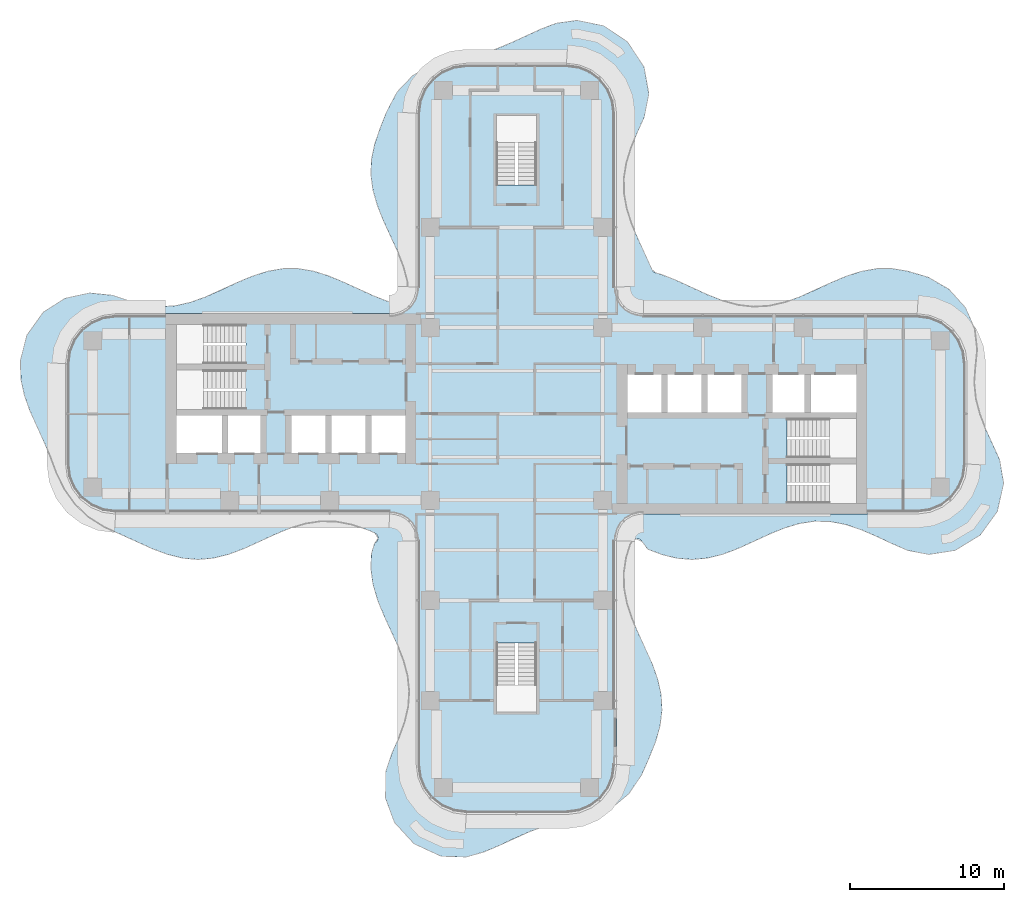
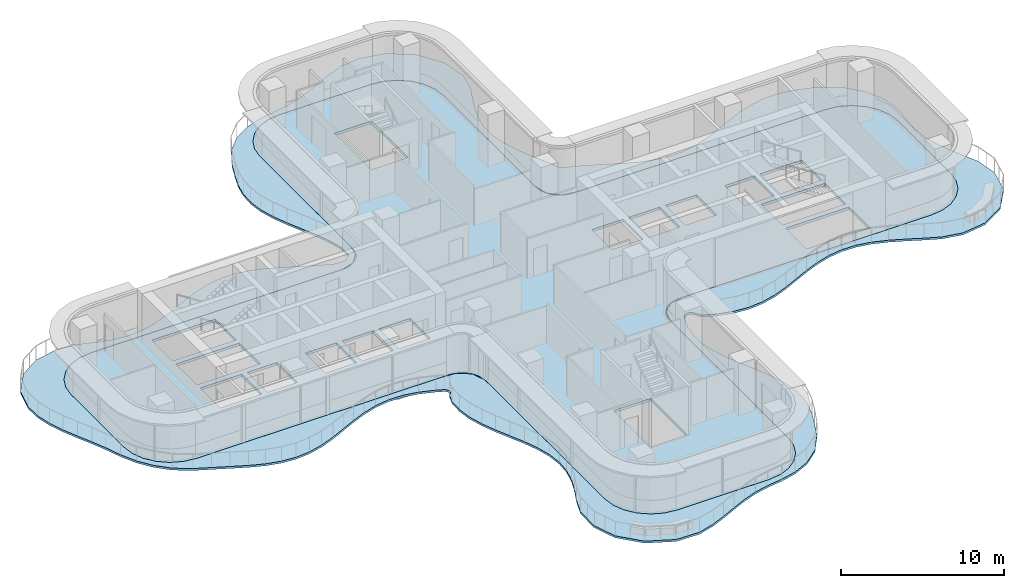
# One storey, part 11 of 19: 2 slabs.
"""IFC4 building model written with IfcOpenShell, lengths in metres."""

from ifc_helpers import new_model, si_unit, direction, frame, origin, place, context, subcontext, project, spatial, polyline, outline, extrude, material, layer, layer_set, type_object, element, save


model = new_model("IFC4")

# Units and contexts
model_context = context("Model", 3, precision=1e-05, world=origin(), true_north=direction((0.0, 1.0)))
body_context = subcontext(model_context, "Body", "Model", "MODEL_VIEW")
ifc_project = project(units=[si_unit("LENGTHUNIT", "METRE"), si_unit("AREAUNIT", "SQUARE_METRE"), si_unit("VOLUMEUNIT", "CUBIC_METRE"), si_unit("PLANEANGLEUNIT", "RADIAN"), si_unit("MASSUNIT", "GRAM", prefix="KILO")], contexts=[model_context])

# Site, building, storey
site_placement = place(None, origin())
site = spatial("IfcSite", under=ifc_project, at=site_placement, CompositionType="ELEMENT")
building_placement = place(site_placement, origin())
building = spatial("IfcBuilding", under=site, at=building_placement, Name="Trellis Farm Tower", CompositionType="ELEMENT")
storey_placement = place(building_placement, frame((0.0, 0.0, 197.10009765625)))
storey = spatial("IfcBuildingStorey", under=building, at=storey_placement, Name="L43", CompositionType="ELEMENT", Elevation=197.10009765625)

# Slabs
ifc_material = material(Name="Concrete C40/50", Category="concrete")
ifc_layer_1 = layer(ifc_material, 0.14990234375)
ifc_layer_set_1 = layer_set([ifc_layer_1], Name="Balcony slab 150")
slab_type_1 = type_object("IfcSlabType", Name="Balcony slab 150", PredefinedType="FLOOR", material=ifc_layer_set_1)
slab_1_placement = place(storey_placement, frame((0.0, 0.0, -0.150146484375)))
element("IfcSlab", 1, at=slab_1_placement, inside=storey, type_object=slab_type_1, Name="Balcony slab", PredefinedType="FLOOR", context=body_context, shape_type="SweptSolid", body=[
    extrude(outline(polyline([(-27.820556640625, -6.649169921875), (-28.645751953125, -5.8466796875), (-28.663330078125, -5.826171875), (-29.312744140625, -4.91259765625), (-29.3251953125, -4.891845703125), (-29.8388671875, -3.845703125), (-29.844970703125, -3.831787109375), (-30.249267578125, -2.745361328125), (-30.25048828125, -2.741943359375), (-30.671142578125, -1.76123046875), (-30.672119140625, -1.759033203125), (-31.13818359375, -0.76171875), (-31.1396484375, -0.758544921875), (-31.57421875, 0.22705078125), (-31.578369140625, 0.237548828125), (-31.92431640625, 1.21533203125), (-31.929443359375, 1.23388671875), (-32.144287109375, 2.233642578125), (-32.147705078125, 2.260498046875), (-32.183837890625, 3.41015625), (-32.179443359375, 3.451171875), (-31.782958984375, 5.04248046875), (-31.773681640625, 5.069091796875), (-31.75830078125, 5.102294921875), (-31.744384765625, 5.126708984375), (-30.708740234375, 6.578369140625), (-30.689697265625, 6.600341796875), (-30.662109375, 6.626220703125), (-30.638916015625, 6.64404296875), (-29.304443359375, 7.48388671875), (-29.281494140625, 7.49560546875), (-29.250732421875, 7.50830078125), (-29.225341796875, 7.51611328125), (-27.722412109375, 7.839111328125), (-27.676513671875, 7.841796875), (-26.240478515625, 7.70166015625), (-26.2080078125, 7.694580078125), (-25.125, 7.335205078125), (-25.120849609375, 7.333984375), (-24.11474609375, 7.064208984375), (-24.103515625, 7.06201171875), (-23.114990234375, 6.95458984375), (-23.10205078125, 6.954345703125), (-22.12060546875, 7.01806640625), (-22.108642578125, 7.019775390625), (-21.129638671875, 7.24365234375), (-21.12109375, 7.24609375), (-20.16357421875, 7.591064453125), (-20.158447265625, 7.593017578125), (-19.156005859375, 8.03759765625), (-19.154541015625, 8.0380859375), (-18.1552734375, 8.504638671875), (-18.150390625, 8.5068359375), (-17.15771484375, 8.927490234375), (-17.145263671875, 8.93212890625), (-16.160400390625, 9.248291015625), (-16.14013671875, 9.25341796875), (-15.163330078125, 9.423095703125), (-15.13818359375, 9.42529296875), (-14.1669921875, 9.42822265625), (-14.141845703125, 9.42626953125), (-13.1708984375, 9.26318359375), (-13.150634765625, 9.25830078125), (-12.1748046875, 8.9501953125), (-12.161865234375, 8.9453125), (-11.177978515625, 8.532470703125), (-11.173828125, 8.530517578125), (-9.19677734375, 7.627197265625), (-9.1923828125, 7.625244140625), (-8.287841796875, 7.279052734375), (-8.27685546875, 7.27587890625), (-8.18408203125, 7.255615234375), (-8.172607421875, 7.254150390625), (-7.70751953125, 7.2265625), (-7.69189453125, 7.227294921875), (-7.571044921875, 7.24560546875), (-7.5419921875, 7.25634765625), (-7.439208984375, 7.322509765625), (-7.427001953125, 7.332275390625), (-7.156982421875, 7.599365234375), (-7.1474609375, 7.61083984375), (-7.08251953125, 7.70751953125), (-7.0712890625, 7.73486328125), (-7.04931640625, 7.8486328125), (-7.048095703125, 7.864501953125), (-7.064697265625, 8.55859375), (-7.067138671875, 8.576171875), (-7.322021484375, 9.53564453125), (-7.32470703125, 9.54345703125), (-7.697021484375, 10.50634765625), (-7.698486328125, 10.510498046875), (-8.613525390625, 12.50439453125), (-8.6162109375, 12.5107421875), (-9.019287109375, 13.509521484375), (-9.024169921875, 13.524169921875), (-9.306884765625, 14.5068359375), (-9.3115234375, 14.52880859375), (-9.44091796875, 15.503662109375), (-9.44189453125, 15.529541015625), (-9.40234375, 16.5), (-9.3994140625, 16.5244140625), (-9.197265625, 17.49609375), (-9.192138671875, 17.5146484375), (-8.85400390625, 18.491943359375), (-8.851806640625, 18.497802734375), (-8.421630859375, 19.591552734375), (-8.41455078125, 19.606689453125), (-7.736572265625, 20.8857421875), (-7.712158203125, 20.91943359375), (-6.736083984375, 21.93505859375), (-6.7041015625, 21.960205078125), (-5.61767578125, 22.601806640625), (-5.5908203125, 22.614501953125), (-4.51611328125, 22.98876953125), (-4.49365234375, 22.99462890625), (-3.414306640625, 23.192138671875), (-3.410400390625, 23.19287109375), (-2.400634765625, 23.35107421875), (-2.39111328125, 23.353271484375), (-1.39599609375, 23.646728515625), (-1.388916015625, 23.649169921875), (-0.373291015625, 24.063720703125), (-0.37060546875, 24.06494140625), (1.6044921875, 24.970947265625), (1.61376953125, 24.974853515625), (2.575927734375, 25.341064453125), (2.60888671875, 25.349609375), (3.922119140625, 25.529052734375), (3.972900390625, 25.52734375), (5.63916015625, 25.181396484375), (5.667724609375, 25.17236328125), (5.701904296875, 25.15771484375), (5.7275390625, 25.143798828125), (7.201416015625, 24.1376953125), (7.22412109375, 24.118896484375), (7.250732421875, 24.091552734375), (7.269287109375, 24.068603515625), (8.25439453125, 22.56201171875), (8.268310546875, 22.53515625), (8.28271484375, 22.4990234375), (8.291015625, 22.469970703125), (8.59326171875, 20.771728515625), (8.595458984375, 20.743408203125), (8.594970703125, 20.706787109375), (8.591796875, 20.67822265625), (8.297607421875, 19.267578125), (8.287109375, 19.236083984375), (7.842041015625, 18.259765625), (7.8408203125, 18.25732421875), (7.433349609375, 17.275146484375), (7.430908203125, 17.2685546875), (7.12890625, 16.288818359375), (7.12646484375, 16.278564453125), (6.97021484375, 15.299072265625), (6.96923828125, 15.286376953125), (6.980224609375, 14.30224609375), (6.9814453125, 14.289794921875), (7.16162109375, 13.298095703125), (7.1640625, 13.2880859375), (7.49072265625, 12.29052734375), (7.492919921875, 12.284423828125), (7.921142578125, 11.28271484375), (7.922119140625, 11.280517578125), (8.38818359375, 10.283203125), (8.3896484375, 10.280029296875), (8.794921875, 9.36083984375), (8.802978515625, 9.3466796875), (8.87841796875, 9.244384765625), (8.90234375, 9.223388671875), (9.013916015625, 9.162353515625), (9.02880859375, 9.15625), (9.425048828125, 9.040283203125), (9.4384765625, 9.03564453125), (10.412841796875, 8.6474609375), (10.419921875, 8.644287109375), (12.4033203125, 7.7333984375), (12.406982421875, 7.731689453125), (13.389404296875, 7.345458984375), (13.39697265625, 7.343017578125), (14.376220703125, 7.07421875), (14.38720703125, 7.072021484375), (15.3671875, 6.956298828125), (15.380126953125, 6.955810546875), (16.3662109375, 7.010009765625), (16.37841796875, 7.01171875), (17.4130859375, 7.243408203125), (17.422119140625, 7.24609375), (18.403076171875, 7.6005859375), (18.407958984375, 7.6025390625), (19.39306640625, 8.040283203125), (19.394287109375, 8.041015625), (20.3876953125, 8.504638671875), (20.392578125, 8.5068359375), (21.38525390625, 8.927490234375), (21.397705078125, 8.93212890625), (22.382568359375, 9.248291015625), (22.402587890625, 9.25341796875), (23.37939453125, 9.423095703125), (23.40478515625, 9.42529296875), (24.3759765625, 9.42822265625), (24.401123046875, 9.42626953125), (25.37158203125, 9.263671875), (25.389404296875, 9.259521484375), (26.685302734375, 8.876953125), (26.717529296875, 8.863037109375), (28.0498046875, 8.096435546875), (28.0869140625, 8.06640625), (29.1328125, 6.89453125), (29.158447265625, 6.8544921875), (29.735595703125, 5.525634765625), (29.7470703125, 5.482177734375), (29.889404296875, 4.173828125), (29.889404296875, 4.142333984375), (29.771240234375, 2.989501953125), (29.77099609375, 2.9873046875), (29.703369140625, 2.030029296875), (29.70361328125, 2.01708984375), (29.81005859375, 0.976318359375), (29.812255859375, 0.964599609375), (30.072021484375, -0.014404296875), (30.07470703125, -0.02197265625), (30.447021484375, -0.985107421875), (30.448486328125, -0.989013671875), (31.34912109375, -2.9697265625), (31.360595703125, -3.006591796875), (31.6083984375, -4.46435546875), (31.610595703125, -4.493896484375), (31.609619140625, -4.531005859375), (31.60595703125, -4.559814453125), (31.213134765625, -6.29638671875), (31.203369140625, -6.32568359375), (31.186767578125, -6.36181640625), (31.171142578125, -6.388427734375), (30.08740234375, -7.862548828125), (30.0673828125, -7.884765625), (30.038818359375, -7.910888671875), (30.014892578125, -7.928466796875), (28.47119140625, -8.8505859375), (28.444580078125, -8.863037109375), (28.408935546875, -8.875732421875), (28.38037109375, -8.8828125), (26.77197265625, -9.119873046875), (26.72119140625, -9.11865234375), (25.40478515625, -8.861083984375), (25.373779296875, -8.8515625), (24.3779296875, -8.42041015625), (24.3740234375, -8.418701171875), (23.373779296875, -7.950927734375), (23.37158203125, -7.9501953125), (22.369873046875, -7.517578125), (22.364013671875, -7.51513671875), (21.365966796875, -7.1806640625), (21.356201171875, -7.17822265625), (20.3642578125, -6.988037109375), (20.351806640625, -6.98681640625), (19.3671875, -6.96484375), (19.3544921875, -6.9658203125), (18.375, -7.112060546875), (18.364501953125, -7.1142578125), (17.384765625, -7.408203125), (17.3779296875, -7.41064453125), (16.394775390625, -7.813720703125), (16.39208984375, -7.81494140625), (14.416748046875, -8.720947265625), (14.40771484375, -8.724853515625), (13.42822265625, -9.09765625), (13.41162109375, -9.102783203125), (12.411865234375, -9.35595703125), (12.388427734375, -9.360107421875), (11.415283203125, -9.447509765625), (11.38916015625, -9.447509765625), (10.4189453125, -9.3662109375), (10.395751953125, -9.3623046875), (9.44384765625, -9.129150390625), (9.426025390625, -9.12353515625), (8.531005859375, -8.781494140625), (8.48828125, -8.75634765625), (8.441162109375, -8.716796875), (8.41015625, -8.680908203125), (8.17041015625, -8.294189453125), (8.162353515625, -8.283447265625), (8.11083984375, -8.226318359375), (8.09765625, -8.214599609375), (7.9833984375, -8.136962890625), (7.950927734375, -8.12451171875), (7.82275390625, -8.10888671875), (7.7880859375, -8.11279296875), (7.65869140625, -8.160400390625), (7.642822265625, -8.168701171875), (7.53759765625, -8.239013671875), (7.51953125, -8.25634765625), (7.39599609375, -8.42138671875), (7.384521484375, -8.44384765625), (7.117431640625, -9.3037109375), (7.114990234375, -9.31494140625), (6.9658203125, -10.303466796875), (6.965087890625, -10.31640625), (6.986083984375, -11.29931640625), (6.9873046875, -11.3115234375), (7.17333984375, -12.290771484375), (7.17578125, -12.30029296875), (7.49072265625, -13.25244140625), (7.492919921875, -13.258544921875), (7.921142578125, -14.26025390625), (7.922119140625, -14.262451171875), (8.38818359375, -15.260009765625), (8.3896484375, -15.262939453125), (8.82421875, -16.24853515625), (8.828369140625, -16.259033203125), (9.17431640625, -17.237060546875), (9.179443359375, -17.255126953125), (9.39111328125, -18.22705078125), (9.394287109375, -18.251220703125), (9.4443359375, -19.2216796875), (9.443603515625, -19.24755859375), (9.32470703125, -20.22216796875), (9.3203125, -20.244384765625), (9.046142578125, -21.2265625), (9.041015625, -21.24169921875), (8.64404296875, -22.239990234375), (8.641845703125, -22.245361328125), (8.119384765625, -23.42529296875), (8.106201171875, -23.448974609375), (7.288818359375, -24.651611328125), (7.260498046875, -24.682861328125), (6.19140625, -25.567626953125), (6.158447265625, -25.58837890625), (5.06005859375, -26.093994140625), (5.031982421875, -26.103515625), (3.949951171875, -26.362060546875), (3.935791015625, -26.36474609375), (2.859375, -26.514892578125), (2.85302734375, -26.51611328125), (1.858154296875, -26.74365234375), (1.849609375, -26.74609375), (0.868408203125, -27.1005859375), (0.863525390625, -27.1025390625), (-0.12158203125, -27.540283203125), (-0.122802734375, -27.541015625), (-1.1162109375, -28.004638671875), (-1.12109375, -28.0068359375), (-2.0947265625, -28.419921875), (-2.11181640625, -28.42626953125), (-3.20947265625, -28.74072265625), (-3.25439453125, -28.74658203125), (-4.8134765625, -28.710693359375), (-4.843505859375, -28.70703125), (-4.881591796875, -28.6982421875), (-4.910400390625, -28.6884765625), (-6.587646484375, -27.923095703125), (-6.613525390625, -27.907958984375), (-6.64501953125, -27.885009765625), (-6.667236328125, -27.864990234375), (-7.893310546875, -26.52685546875), (-7.910888671875, -26.503173828125), (-7.930908203125, -26.470458984375), (-7.943603515625, -26.443603515625), (-8.487060546875, -24.9375), (-8.493896484375, -24.91162109375), (-8.49951171875, -24.877685546875), (-8.501708984375, -24.850341796875), (-8.4775390625, -23.23583984375), (-8.4697265625, -23.18994140625), (-8.0732421875, -22.01611328125), (-8.068115234375, -22.0029296875), (-7.618896484375, -20.995849609375), (-7.616943359375, -20.990966796875), (-7.2529296875, -19.991943359375), (-7.250244140625, -19.983154296875), (-7.02099609375, -18.9892578125), (-7.01904296875, -18.977294921875), (-6.954345703125, -17.990966796875), (-6.95458984375, -17.97802734375), (-7.06005859375, -16.99755859375), (-7.06201171875, -16.986328125), (-7.322021484375, -16.00732421875), (-7.32470703125, -15.99951171875), (-7.704833984375, -15.017578125), (-7.706787109375, -15.01318359375), (-8.613525390625, -13.03857421875), (-8.6162109375, -13.0322265625), (-9.01318359375, -12.05029296875), (-9.018310546875, -12.03564453125), (-9.30712890625, -11.035888671875), (-9.3115234375, -11.014404296875), (-9.439208984375, -10.069091796875), (-9.440673828125, -10.043701171875), (-9.406494140625, -9.087646484375), (-9.39990234375, -9.04931640625), (-9.2138671875, -8.437255859375), (-9.165283203125, -8.36474609375), (-9.037841796875, -8.2607421875), (-9.013916015625, -8.22509765625), (-8.96875, -8.075439453125), (-8.96875, -8.033203125), (-9.013427734375, -7.883056640625), (-9.03662109375, -7.847900390625), (-9.1650390625, -7.73974609375), (-9.183349609375, -7.728271484375), (-9.646240234375, -7.52783203125), (-9.652099609375, -7.525634765625), (-10.677001953125, -7.1806640625), (-10.686767578125, -7.17822265625), (-11.6787109375, -6.988037109375), (-11.691162109375, -6.98681640625), (-12.67578125, -6.96484375), (-12.6884765625, -6.9658203125), (-13.668212890625, -7.112060546875), (-13.6787109375, -7.1142578125), (-14.658203125, -7.408203125), (-14.6650390625, -7.41064453125), (-15.648193359375, -7.813720703125), (-15.65087890625, -7.81494140625), (-17.626220703125, -8.720947265625), (-17.635498046875, -8.724853515625), (-18.6337890625, -9.103759765625), (-18.650390625, -9.10888671875), (-19.631103515625, -9.35595703125), (-19.654296875, -9.360107421875), (-20.627685546875, -9.447509765625), (-20.65380859375, -9.447509765625), (-21.623779296875, -9.3662109375), (-21.647216796875, -9.3623046875), (-22.6201171875, -9.122802734375), (-22.63671875, -9.11767578125), (-23.6162109375, -8.751220703125), (-23.62548828125, -8.747314453125), (-26.7451171875, -7.332763671875), (-26.763671875, -7.32275390625), (-27.79638671875, -6.668212890625), (-27.820556640625, -6.649169921875)]), holes=[polyline([(-8.236083984375, 6.502685546875), (-21.130615234375, 6.50048828125), (-26.0, 6.50048828125), (-26.84130859375, 6.389892578125), (-27.625244140625, 6.065185546875), (-28.298583984375, 5.548583984375), (-28.815185546875, 4.875244140625), (-29.139892578125, 4.09130859375), (-29.25048828125, 3.25), (-29.25048828125, -3.25), (-29.139892578125, -4.09130859375), (-28.815185546875, -4.875244140625), (-28.298583984375, -5.548583984375), (-27.625244140625, -6.065185546875), (-26.84130859375, -6.389892578125), (-26.0, -6.50048828125), (-8.66748046875, -6.50048828125), (-8.6669921875, -6.50048828125), (-7.740234375, -6.58544921875), (-7.7041015625, -6.59326171875), (-7.66015625, -6.608642578125), (-7.627197265625, -6.625), (-6.92724609375, -7.08642578125), (-6.892822265625, -7.117919921875), (-6.857421875, -7.162109375), (-6.83349609375, -7.2041015625), (-6.5205078125, -8.05517578125), (-6.51123046875, -8.105224609375), (-6.50048828125, -8.99609375), (-6.50048828125, -22.75), (-6.389892578125, -23.59130859375), (-6.065185546875, -24.375244140625), (-5.548583984375, -25.048583984375), (-4.875244140625, -25.565185546875), (-4.09130859375, -25.889892578125), (-3.25, -26.00048828125), (3.25, -26.00048828125), (4.09130859375, -25.889892578125), (4.875244140625, -25.565185546875), (5.548583984375, -25.048583984375), (6.065185546875, -24.375244140625), (6.389892578125, -23.59130859375), (6.50048828125, -22.75), (6.50048828125, -8.321044921875), (6.50439453125, -8.290283203125), (6.720458984375, -7.40380859375), (6.737060546875, -7.363037109375), (6.764404296875, -7.31689453125), (6.79150390625, -7.283203125), (7.401611328125, -6.717041015625), (7.43701171875, -6.692626953125), (7.485107421875, -6.668701171875), (7.526611328125, -6.655517578125), (8.429931640625, -6.502197265625), (8.44775390625, -6.50048828125), (26.0, -6.50048828125), (26.84130859375, -6.389892578125), (27.625244140625, -6.065185546875), (28.298583984375, -5.548583984375), (28.815185546875, -4.875244140625), (29.139892578125, -4.09130859375), (29.25048828125, -3.25), (29.25048828125, 3.25), (29.139892578125, 4.09130859375), (28.815185546875, 4.875244140625), (28.298583984375, 5.548583984375), (27.625244140625, 6.065185546875), (26.84130859375, 6.389892578125), (26.0, 6.50048828125), (8.44775390625, 6.50048828125), (8.429931640625, 6.502197265625), (7.526611328125, 6.655517578125), (7.485107421875, 6.668701171875), (7.43701171875, 6.692626953125), (7.401611328125, 6.717041015625), (6.79150390625, 7.283203125), (6.764404296875, 7.31689453125), (6.737060546875, 7.363037109375), (6.720458984375, 7.40380859375), (6.50439453125, 8.290283203125), (6.50048828125, 8.321044921875), (6.50048828125, 19.5), (6.389892578125, 20.34130859375), (6.065185546875, 21.125244140625), (5.548583984375, 21.798583984375), (4.875244140625, 22.315185546875), (4.09130859375, 22.639892578125), (3.25, 22.75048828125), (-3.25, 22.75048828125), (-4.09130859375, 22.639892578125), (-4.875244140625, 22.315185546875), (-5.548583984375, 21.798583984375), (-6.065185546875, 21.125244140625), (-6.389892578125, 20.34130859375), (-6.50048828125, 19.5), (-6.50048828125, 14.944091796875), (-6.50146484375, 8.523193359375), (-6.502685546875, 8.50390625), (-6.618408203125, 7.6123046875), (-6.62939453125, 7.572021484375), (-6.650390625, 7.52392578125), (-6.672119140625, 7.48828125), (-7.201171875, 6.84423828125), (-7.23388671875, 6.814697265625), (-7.279052734375, 6.784423828125), (-7.320068359375, 6.765380859375), (-8.194091796875, 6.5087890625), (-8.236083984375, 6.502685546875)])]), origin(), (0.0, 0.0, 1.0), 0.150146484375),
])
ifc_layer_2 = layer(ifc_material, 0.199951171875)
ifc_layer_set_2 = layer_set([ifc_layer_2], Name="Composite deck floor slab 200")
slab_type_2 = type_object("IfcSlabType", Name="Composite deck floor slab 200", PredefinedType="FLOOR", material=ifc_layer_set_2)
slab_2_placement = place(storey_placement, frame((0.0, 0.0, -0.2001953125)))
element("IfcSlab", 2, at=slab_2_placement, inside=storey, type_object=slab_type_2, Name="Floor slab", PredefinedType="FLOOR", context=body_context, shape_type="SweptSolid", body=[
    extrude(outline(polyline([(-26.84130859375, -6.389404296875), (-27.625, -6.064697265625), (-28.298095703125, -5.548095703125), (-28.814697265625, -4.875), (-29.139404296875, -4.09130859375), (-29.25, -3.25), (-29.25, 3.25), (-29.139404296875, 4.09130859375), (-28.814697265625, 4.875), (-28.298095703125, 5.548095703125), (-27.625, 6.064697265625), (-26.84130859375, 6.389404296875), (-26.0, 6.5), (-8.2314453125, 6.5), (-8.01953125, 6.513916015625), (-7.91552734375, 6.527587890625), (-7.508544921875, 6.63671875), (-7.144287109375, 6.846923828125), (-6.846923828125, 7.144287109375), (-6.63671875, 7.508544921875), (-6.527587890625, 7.91552734375), (-6.513916015625, 8.01953125), (-6.5, 8.2314453125), (-6.5, 19.5), (-6.389404296875, 20.34130859375), (-6.064697265625, 21.125), (-5.548095703125, 21.798095703125), (-4.875, 22.314697265625), (-4.09130859375, 22.639404296875), (-3.25, 22.75), (3.25, 22.75), (4.09130859375, 22.639404296875), (4.875, 22.314697265625), (5.548095703125, 21.798095703125), (6.064697265625, 21.125), (6.389404296875, 20.34130859375), (6.5, 19.5), (6.5, 8.2314453125), (6.513916015625, 8.01953125), (6.527587890625, 7.91552734375), (6.63671875, 7.508544921875), (6.846923828125, 7.144287109375), (7.144287109375, 6.846923828125), (7.508544921875, 6.63671875), (7.91552734375, 6.527587890625), (8.01953125, 6.513916015625), (8.2314453125, 6.5), (26.0, 6.5), (26.84130859375, 6.389404296875), (27.625, 6.064697265625), (28.298095703125, 5.548095703125), (28.814697265625, 4.875), (29.139404296875, 4.09130859375), (29.25, 3.25), (29.25, -3.25), (29.139404296875, -4.09130859375), (28.814697265625, -4.875), (28.298095703125, -5.548095703125), (27.625, -6.064697265625), (26.84130859375, -6.389404296875), (26.0, -6.5), (8.2314453125, -6.5), (8.01953125, -6.513916015625), (7.91552734375, -6.527587890625), (7.508544921875, -6.63671875), (7.144287109375, -6.846923828125), (6.846923828125, -7.144287109375), (6.63671875, -7.508544921875), (6.527587890625, -7.91552734375), (6.513916015625, -8.01953125), (6.5, -8.2314453125), (6.5, -22.75), (6.389404296875, -23.59130859375), (6.064697265625, -24.375), (5.548095703125, -25.048095703125), (4.875, -25.564697265625), (4.09130859375, -25.889404296875), (3.25, -26.0), (-3.25, -26.0), (-4.09130859375, -25.889404296875), (-4.875, -25.564697265625), (-5.548095703125, -25.048095703125), (-6.064697265625, -24.375), (-6.389404296875, -23.59130859375), (-6.5, -22.75), (-6.5, -8.2314453125), (-6.513916015625, -8.01953125), (-6.527587890625, -7.91552734375), (-6.63671875, -7.508544921875), (-6.846923828125, -7.144287109375), (-7.144287109375, -6.846923828125), (-7.508544921875, -6.63671875), (-7.91552734375, -6.527587890625), (-8.01953125, -6.513916015625), (-8.2314453125, -6.5), (-26.0, -6.5), (-26.84130859375, -6.389404296875)]), holes=[polyline([(-22.050048828125, -0.10009765625), (-22.050048828125, -2.550048828125), (-19.10009765625, -2.550048828125), (-19.10009765625, -0.10009765625), (-22.050048828125, -0.10009765625)]), polyline([(-18.699951171875, -0.10009765625), (-18.699951171875, -2.550048828125), (-16.60009765625, -2.550048828125), (-16.60009765625, -0.10009765625), (-18.699951171875, -0.10009765625)]), polyline([(-14.60009765625, -0.10009765625), (-14.60009765625, -2.550048828125), (-12.39990234375, -2.550048828125), (-12.39990234375, -0.10009765625), (-14.60009765625, -0.10009765625)]), polyline([(-12.0, -0.10009765625), (-12.0, -2.550048828125), (-9.800048828125, -2.550048828125), (-9.800048828125, -0.10009765625), (-12.0, -0.10009765625)]), polyline([(-9.39990234375, -0.10009765625), (-9.39990234375, -2.550048828125), (-7.199951171875, -2.550048828125), (-7.199951171875, -0.10009765625), (-9.39990234375, -0.10009765625)]), polyline([(-17.56201171875, 1.64990234375), (-17.56201171875, 2.85009765625), (-22.050048828125, 2.85009765625), (-22.050048828125, 0.300048828125), (-17.56005859375, 0.300048828125), (-17.56005859375, 1.5), (-17.550048828125, 1.5), (-17.550048828125, 1.64990234375), (-17.56201171875, 1.64990234375)]), polyline([(-17.56201171875, 4.60009765625), (-17.56201171875, 5.800048828125), (-22.050048828125, 5.800048828125), (-22.050048828125, 3.25), (-17.56005859375, 3.25), (-17.56005859375, 4.449951171875), (-17.550048828125, 4.449951171875), (-17.550048828125, 4.60009765625), (-17.56201171875, 4.60009765625)]), polyline([(0.10009765625, 14.862060546875), (1.300048828125, 14.862060546875), (1.300048828125, 19.35009765625), (-1.300048828125, 19.35009765625), (-1.300048828125, 14.860107421875), (-0.10009765625, 14.860107421875), (-0.10009765625, 14.85009765625), (0.10009765625, 14.85009765625), (0.10009765625, 14.862060546875)]), polyline([(-0.10009765625, -14.862060546875), (-1.300048828125, -14.862060546875), (-1.300048828125, -19.35009765625), (1.300048828125, -19.35009765625), (1.300048828125, -14.860107421875), (0.10009765625, -14.860107421875), (0.10009765625, -14.85009765625), (-0.10009765625, -14.85009765625), (-0.10009765625, -14.862060546875)]), polyline([(17.56201171875, -4.60009765625), (17.56201171875, -5.800048828125), (22.050048828125, -5.800048828125), (22.050048828125, -3.25), (17.56005859375, -3.25), (17.56005859375, -4.449951171875), (17.550048828125, -4.449951171875), (17.550048828125, -4.60009765625), (17.56201171875, -4.60009765625)]), polyline([(17.56201171875, -1.64990234375), (17.56201171875, -2.85009765625), (22.050048828125, -2.85009765625), (22.050048828125, -0.300048828125), (17.56005859375, -0.300048828125), (17.56005859375, -1.5), (17.550048828125, -1.5), (17.550048828125, -1.64990234375), (17.56201171875, -1.64990234375)]), polyline([(9.39990234375, 0.10009765625), (9.39990234375, 2.550048828125), (7.199951171875, 2.550048828125), (7.199951171875, 0.10009765625), (9.39990234375, 0.10009765625)]), polyline([(12.0, 0.10009765625), (12.0, 2.550048828125), (9.800048828125, 2.550048828125), (9.800048828125, 0.10009765625), (12.0, 0.10009765625)]), polyline([(14.60009765625, 0.10009765625), (14.60009765625, 2.550048828125), (12.39990234375, 2.550048828125), (12.39990234375, 0.10009765625), (14.60009765625, 0.10009765625)]), polyline([(18.699951171875, 0.10009765625), (18.699951171875, 2.550048828125), (16.60009765625, 2.550048828125), (16.60009765625, 0.10009765625), (18.699951171875, 0.10009765625)]), polyline([(22.050048828125, 0.10009765625), (22.050048828125, 2.550048828125), (19.10009765625, 2.550048828125), (19.10009765625, 0.10009765625), (22.050048828125, 0.10009765625)])]), origin(), (0.0, 0.0, 1.0), 0.2001953125),
])

save(model, "model.ifc")
